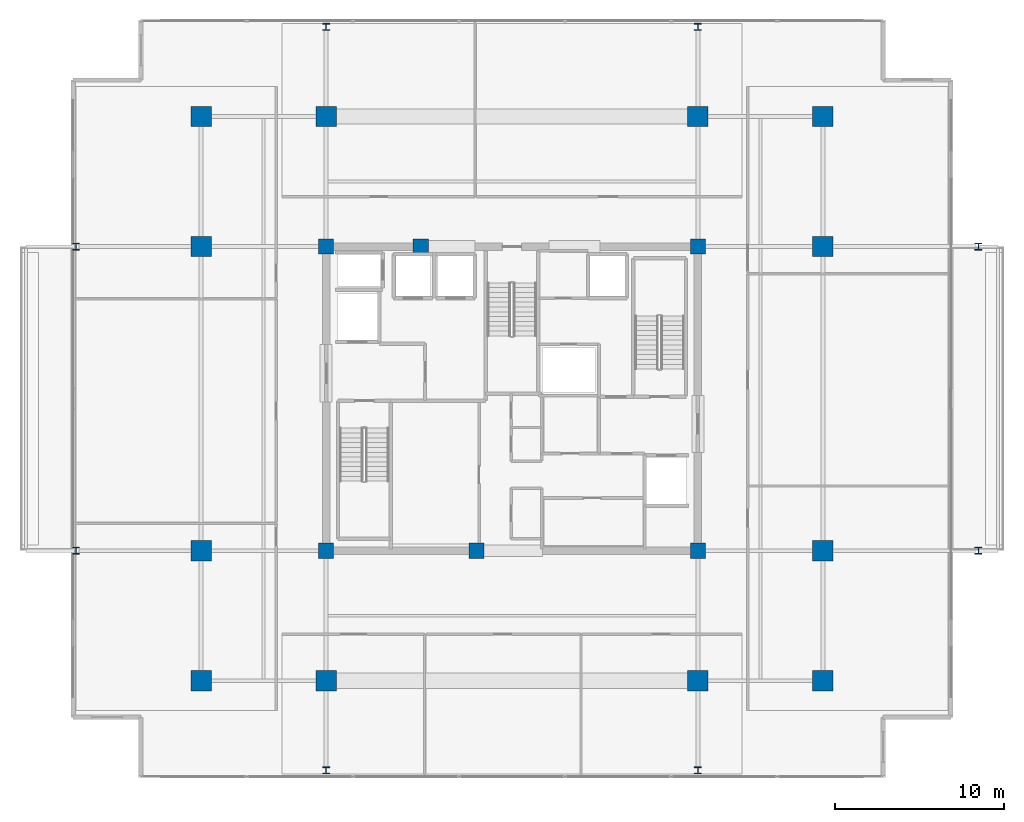
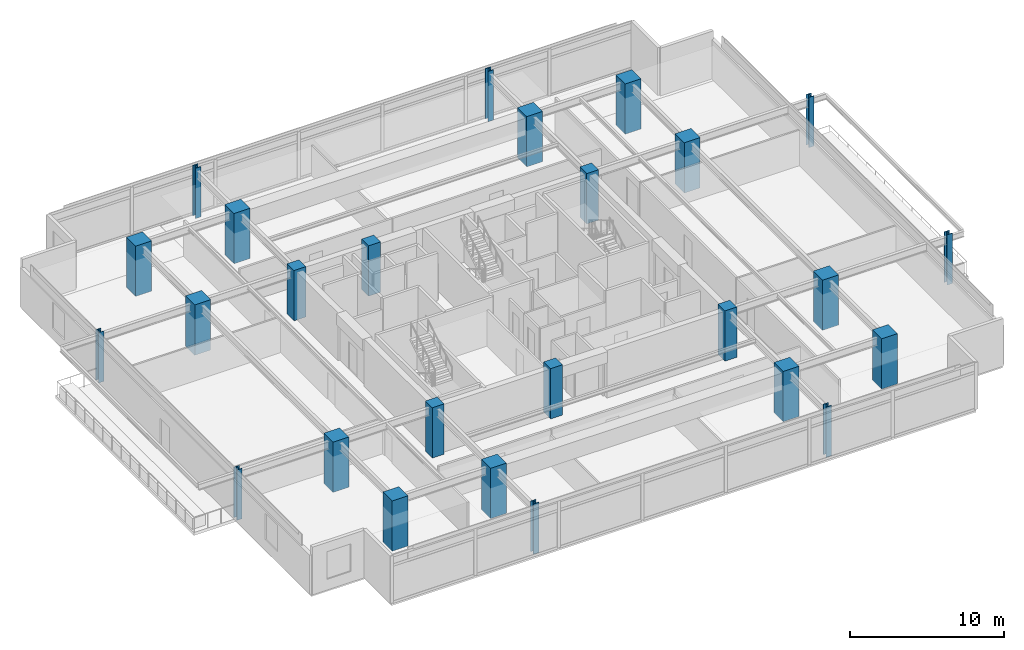
# One storey, part 1 of 21: 26 columns.
"""IFC4 building model written with IfcOpenShell, lengths in metres."""

from ifc_helpers import new_model, si_unit, direction, frame, origin, origin_2d, place, context, subcontext, project, spatial, rectangle, i_section, extrude, material, material_profile, profile_set, type_object, element, save


model = new_model("IFC4")

# Units and contexts
model_context = context("Model", 3, precision=1e-05, world=origin(), true_north=direction((0.0, 1.0)))
body_context = subcontext(model_context, "Body", "Model", "MODEL_VIEW")
ifc_project = project(units=[si_unit("LENGTHUNIT", "METRE"), si_unit("AREAUNIT", "SQUARE_METRE"), si_unit("VOLUMEUNIT", "CUBIC_METRE"), si_unit("PLANEANGLEUNIT", "RADIAN"), si_unit("MASSUNIT", "GRAM", prefix="KILO")], contexts=[model_context])

# Site, building, storey
site_placement = place(None, origin())
site = spatial("IfcSite", under=ifc_project, at=site_placement, CompositionType="ELEMENT")
building_placement = place(site_placement, origin())
building = spatial("IfcBuilding", under=site, at=building_placement, Name="Kovane Verandah Tower", CompositionType="ELEMENT")
storey_placement = place(building_placement, frame((0.0, 0.0, 275.199951171875)))
storey = spatial("IfcBuildingStorey", under=building, at=storey_placement, Name="L64", CompositionType="ELEMENT", Elevation=275.199951171875)

# Columns
ifc_material_1 = material(Name="Concrete C60/75", Category="concrete")
ifc_material_profile_1 = material_profile(ifc_material_1, rectangle(XDim=1.199951171875, YDim=1.199951171875, at=origin_2d()), Name="RC1200x1200")
ifc_profile_set_1 = profile_set([ifc_material_profile_1], Name="Concrete C60/75")
column_type_1 = type_object("IfcColumnType", Name="COL-RC1200", PredefinedType="COLUMN", material=ifc_profile_set_1)
for number, where, z_axis, x_axis, name in (
    (1, (29.0, 10.800048828125, 0.0), (0.0, 0.0, 1.0), (1.0, 0.0, 0.0), "L64 Tower Mega-Column MC-S1"),
    (2, (51.0, 10.800048828125, 0.0), (0.0, 0.0, 1.0), (1.0, 0.0, 0.0), "L64 Tower Mega-Column MC-S2"),
    (3, (29.0, 44.199951171875, 0.0), (0.0, 0.0, 1.0), (1.0, 0.0, 0.0), "L64 Tower Mega-Column MC-N1"),
    (4, (51.0, 44.199951171875, 0.0), (0.0, 0.0, 1.0), (1.0, 0.0, 0.0), "L64 Tower Mega-Column MC-N2"),
    (5, (21.60009765625, 18.5, 0.0), (0.0, 0.0, 1.0), (1.0, 0.0, 0.0), "L64 Tower Mega-Column MC-W1"),
    (6, (21.60009765625, 36.5, 0.0), (0.0, 0.0, 1.0), (1.0, 0.0, 0.0), "L64 Tower Mega-Column MC-W2"),
    (7, (58.39990234375, 18.5, 0.0), (0.0, 0.0, 1.0), (1.0, 0.0, 0.0), "L64 Tower Mega-Column MC-E1"),
    (8, (58.39990234375, 36.5, 0.0), (0.0, 0.0, 1.0), (1.0, 0.0, 0.0), "L64 Tower Mega-Column MC-E2"),
    (9, (21.60009765625, 10.800048828125, 0.0), (0.0, 0.0, 1.0), (1.0, 0.0, 0.0), "L64 Tower Mega-Column MC-SW"),
    (10, (58.39990234375, 10.800048828125, 0.0), (0.0, 0.0, 1.0), (1.0, 0.0, 0.0), "L64 Tower Mega-Column MC-SE"),
    (11, (21.60009765625, 44.199951171875, 0.0), (0.0, 0.0, 1.0), (1.0, 0.0, 0.0), "L64 Tower Mega-Column MC-NW"),
    (12, (58.39990234375, 44.199951171875, 0.0), (0.0, 0.0, 1.0), (1.0, 0.0, 0.0), "L64 Tower Mega-Column MC-NE"),
):
    element("IfcColumn", number, at=place(storey_placement, frame(where, z_axis=z_axis, x_axis=x_axis)), inside=storey, type_object=column_type_1, Name=name, PredefinedType="COLUMN", context=body_context, shape_type="SweptSolid", body=[
        extrude(rectangle(XDim=1.199951171875, YDim=1.199951171875, at=origin_2d()), origin(), (0.0, 0.0, 1.0), 4.0),
    ])
ifc_material_2 = material(Name="Steel S460", Category="steel")
ifc_material_profile_2 = material_profile(ifc_material_2, i_section(OverallWidth=0.403076171875, OverallDepth=0.406494140625, WebThickness=0.026611328125, FlangeThickness=0.04296875, FilletRadius=0.01513671875, at=origin_2d()), Name="UC356x406x340")
ifc_profile_set_2 = profile_set([ifc_material_profile_2], Name="Steel S460")
column_type_2 = type_object("IfcColumnType", Name="COL-UC340", PredefinedType="COLUMN", material=ifc_profile_set_2)
for number, where, z_axis, x_axis, name in (
    (13, (14.199951171875, 18.5, 0.0), (0.0, 0.0, 1.0), (1.0, 0.0, 0.0), "L64 Verandah Perimeter Column VC-W1"),
    (14, (14.199951171875, 36.5, 0.0), (0.0, 0.0, 1.0), (1.0, 0.0, 0.0), "L64 Verandah Perimeter Column VC-W2"),
    (15, (67.60009765625, 18.5, 0.0), (0.0, 0.0, 1.0), (1.0, 0.0, 0.0), "L64 Verandah Perimeter Column VC-E1"),
    (16, (67.60009765625, 36.5, 0.0), (0.0, 0.0, 1.0), (1.0, 0.0, 0.0), "L64 Verandah Perimeter Column VC-E2"),
    (17, (29.0, 5.5, 0.0), (0.0, 0.0, 1.0), (1.0, 0.0, 0.0), "L64 Verandah Perimeter Column VC-S1"),
    (18, (51.0, 5.5, 0.0), (0.0, 0.0, 1.0), (1.0, 0.0, 0.0), "L64 Verandah Perimeter Column VC-S2"),
    (19, (29.0, 49.5, 0.0), (0.0, 0.0, 1.0), (1.0, 0.0, 0.0), "L64 Verandah Perimeter Column VC-N1"),
    (20, (51.0, 49.5, 0.0), (0.0, 0.0, 1.0), (1.0, 0.0, 0.0), "L64 Verandah Perimeter Column VC-N2"),
):
    element("IfcColumn", number, at=place(storey_placement, frame(where, z_axis=z_axis, x_axis=x_axis)), inside=storey, type_object=column_type_2, Name=name, PredefinedType="COLUMN", context=body_context, shape_type="SweptSolid", body=[
        extrude(i_section(OverallWidth=0.403076171875, OverallDepth=0.406494140625, WebThickness=0.026611328125, FlangeThickness=0.04296875, FilletRadius=0.01513671875, at=origin_2d()), origin(), (0.0, 0.0, 1.0), 4.0),
    ])
ifc_material_profile_3 = material_profile(ifc_material_1, rectangle(XDim=0.89990234375, YDim=0.89990234375, at=origin_2d()), Name="RC900x900")
ifc_profile_set_3 = profile_set([ifc_material_profile_3], Name="Concrete C60/75")
column_type_3 = type_object("IfcColumnType", Name="PIL-RC900", PredefinedType="PILASTER", material=ifc_profile_set_3)
for number, where, z_axis, x_axis, name in (
    (21, (29.0, 18.5, 0.0), (0.0, 0.0, 1.0), (1.0, 0.0, 0.0), "L64 Core Pilaster CP-SW"),
    (22, (51.0, 18.5, 0.0), (0.0, 0.0, 1.0), (1.0, 0.0, 0.0), "L64 Core Pilaster CP-SE"),
    (23, (29.0, 36.5, 0.0), (0.0, 0.0, 1.0), (1.0, 0.0, 0.0), "L64 Core Pilaster CP-NW"),
    (24, (51.0, 36.5, 0.0), (0.0, 0.0, 1.0), (1.0, 0.0, 0.0), "L64 Core Pilaster CP-NE"),
    (25, (37.89990234375, 18.5, 0.0), (0.0, 0.0, 1.0), (1.0, 0.0, 0.0), "L64 Core Pilaster CP-S"),
    (26, (34.60009765625, 36.5, 0.0), (0.0, 0.0, 1.0), (1.0, 0.0, 0.0), "L64 Core Pilaster CP-N"),
):
    element("IfcColumn", number, at=place(storey_placement, frame(where, z_axis=z_axis, x_axis=x_axis)), inside=storey, type_object=column_type_3, Name=name, PredefinedType="PILASTER", context=body_context, shape_type="SweptSolid", body=[
        extrude(rectangle(XDim=0.89990234375, YDim=0.89990234375, at=origin_2d()), origin(), (0.0, 0.0, 1.0), 4.0),
    ])

save(model, "model.ifc")
